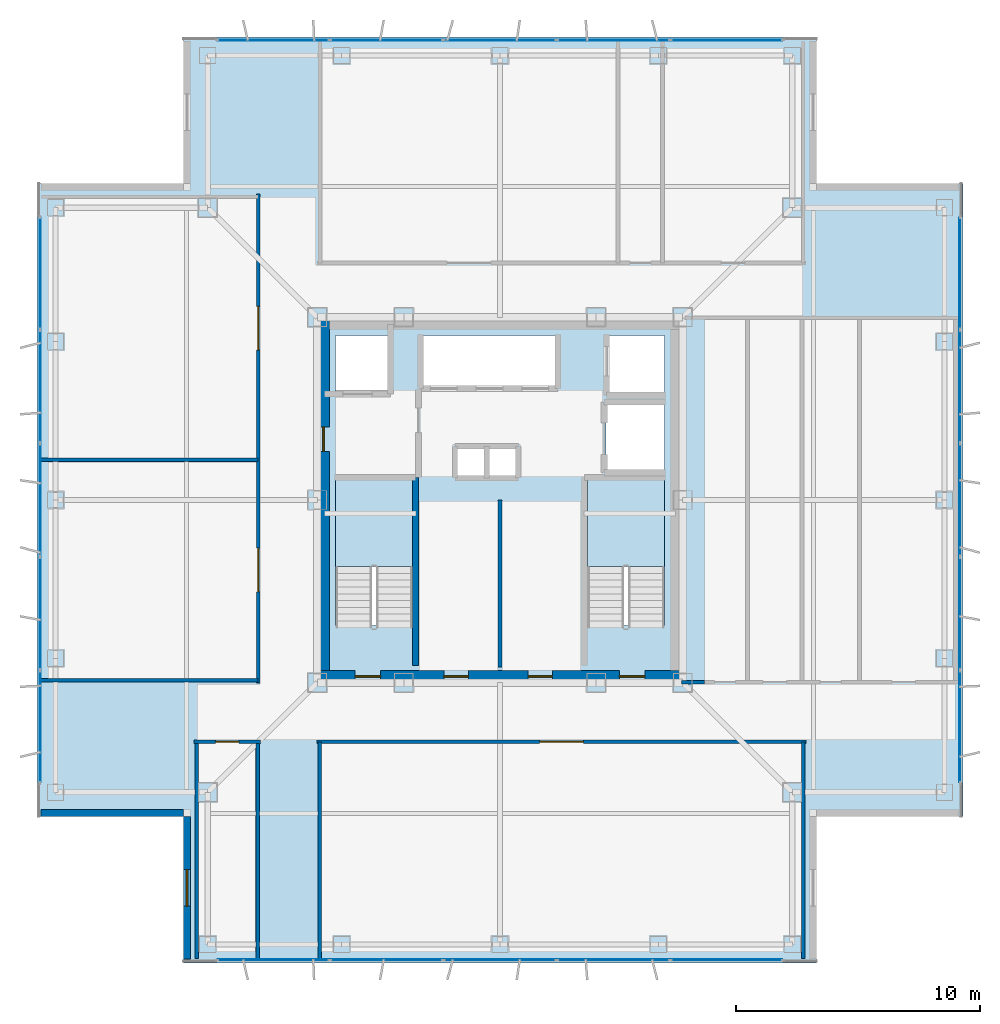
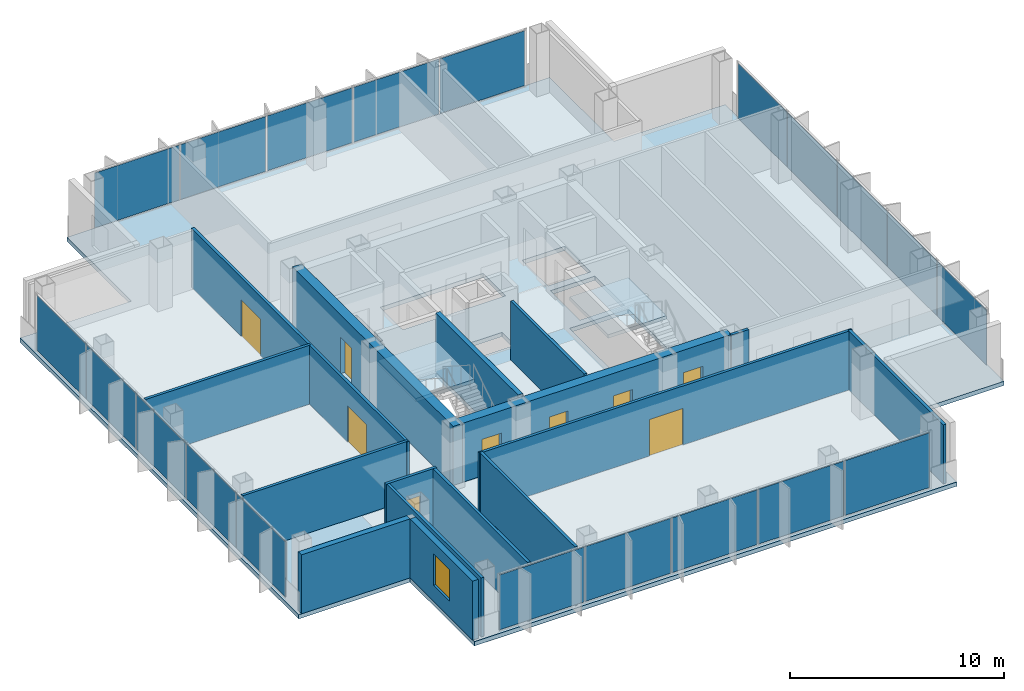
# One storey, part 7 of 15: 20 plates, 16 walls, 9 doors, 3 slabs, 1 window, 10 openings, 6 elements without a shape of their own.
"""IFC4 building model written with IfcOpenShell, lengths in metres."""

import ifcopenshell
import ifcopenshell.guid

model = None  # the IFC model being written
_history = None  # IfcOwnerHistory: only IFC2X3 demands one
_inside = {}  # id of a spatial element -> (the spatial element, [elements in it])
_under = {}  # id of a project, library or spatial element -> (it, [spatial elements below it])
_declared = {}  # id of a project -> (the project, [libraries it declares])
_typed = {}  # id of a type object -> (the type object, [elements of that type])
_made_of = {}  # id of a material, layer set ... -> (it, [elements and type objects made of it])


def new_model(schema):
    """Start an empty IFC model of exactly this schema.

    Asked for "IFC4X3", IfcOpenShell would pick the latest addendum, in which some entities
    have other attributes; the version numbers below select the first issue.
    IFC2X3 requires an IfcOwnerHistory on every rooted entity: one is made here for all.
    """
    global model, _history
    if schema == "IFC4X3":
        model = ifcopenshell.file(schema_version=(4, 3, 0, 0))
    else:
        model = ifcopenshell.file(schema=schema)
    _inside.clear()
    _under.clear()
    _declared.clear()
    _typed.clear()
    _made_of.clear()
    _history = None
    if model.schema == "IFC2X3":
        org = make("IfcOrganization", Name="unknown")
        user = make(
            "IfcPersonAndOrganization",
            ThePerson=make("IfcPerson", FamilyName="unknown"),
            TheOrganization=org,
        )
        app = make(
            "IfcApplication",
            ApplicationDeveloper=org,
            Version="unknown",
            ApplicationFullName="unknown",
            ApplicationIdentifier="unknown",
        )
        _history = make(
            "IfcOwnerHistory",
            OwningUser=user,
            OwningApplication=app,
            ChangeAction="ADDED",
            CreationDate=0,
        )
    return model


def make(cls, **values):
    """One entity of the class cls with the attributes given. An attribute that is None is left unset."""
    return model.create_entity(
        cls, **{name: value for name, value in values.items() if value is not None}
    )


def rooted(cls, **values):
    """An entity with a GlobalId (a new one), such as an element, a storey or a relation."""
    return make(cls, GlobalId=ifcopenshell.guid.new(), OwnerHistory=_history, **values)


def si_unit(unit_type, name, prefix=None):
    """IfcSIUnit, for example si_unit("LENGTHUNIT", "METRE", prefix="MILLI")."""
    return make("IfcSIUnit", UnitType=unit_type, Prefix=prefix, Name=name)


def assignment(units):
    """IfcUnitAssignment: the units of a project."""
    return None if units is None else make("IfcUnitAssignment", Units=units)


def point(xyz):
    """IfcCartesianPoint."""
    return None if xyz is None else make("IfcCartesianPoint", Coordinates=xyz)


def direction(xyz):
    """IfcDirection."""
    return None if xyz is None else make("IfcDirection", DirectionRatios=xyz)


def frame(location, z_axis=None, x_axis=None):
    """IfcAxis2Placement3D, a coordinate frame: its origin and axes. An axis left out is left unset."""
    return make(
        "IfcAxis2Placement3D",
        Location=point(location),
        Axis=direction(z_axis),
        RefDirection=direction(x_axis),
    )


def frame_2d(location, x_axis=None):
    """IfcAxis2Placement2D, a coordinate frame in the plane: its origin and x axis."""
    return make(
        "IfcAxis2Placement2D", Location=point(location), RefDirection=direction(x_axis)
    )


def origin():
    """The frame at (0, 0, 0) with its axes left unset."""
    return frame((0.0, 0.0, 0.0))


def origin_2d():
    """The frame at (0, 0) in the plane with its x axis left unset."""
    return frame_2d((0.0, 0.0))


def place(relative_to, where):
    """IfcLocalPlacement: puts the frame where relative to a parent placement (None: the world)."""
    return make(
        "IfcLocalPlacement", PlacementRelTo=relative_to, RelativePlacement=where
    )


def context(
    kind, dimensions, precision=None, world=None, true_north=None, identifier=None
):
    """IfcGeometricRepresentationContext, for example the 3D "Model" context."""
    return make(
        "IfcGeometricRepresentationContext",
        ContextIdentifier=identifier,
        ContextType=kind,
        CoordinateSpaceDimension=dimensions,
        Precision=precision,
        WorldCoordinateSystem=world,
        TrueNorth=true_north,
    )


def subcontext(parent, identifier, kind, view, scale=None):
    """IfcGeometricRepresentationSubContext, for example "Body" below "Model"."""
    return make(
        "IfcGeometricRepresentationSubContext",
        ContextIdentifier=identifier,
        ContextType=kind,
        ParentContext=parent,
        TargetScale=scale,
        TargetView=view,
    )


def project(units=None, contexts=None):
    """IfcProject with its units and contexts."""
    return rooted(
        "IfcProject",
        Name="project",
        RepresentationContexts=contexts,
        UnitsInContext=assignment(units),
    )


def spatial(cls, under=None, at=None, **own):
    """A site, building, storey or space (cls), placed at a placement, below another one or the project."""
    s = rooted(cls, ObjectPlacement=at, **own)
    if under is not None:
        _under.setdefault(under.id(), (under, []))[1].append(s)
    return s


def polyline(points):
    """IfcPolyline through the points."""
    return make("IfcPolyline", Points=[point(p) for p in points])


def profile(cls, at=None, kind="AREA", **sizes):
    """A parametric profile (cls). Its sizes go by their IFC names, for example OverallWidth=200.0."""
    return make(cls, ProfileType=kind, Position=at, **sizes)


def rectangle(**sizes):
    """IfcRectangleProfileDef."""
    return profile("IfcRectangleProfileDef", **sizes)


def outline(outer, holes=None, kind="AREA"):
    """IfcArbitraryClosedProfileDef: a profile drawn as a closed curve; with holes, ...WithVoids."""
    if holes is None:
        return make("IfcArbitraryClosedProfileDef", ProfileType=kind, OuterCurve=outer)
    return make(
        "IfcArbitraryProfileDefWithVoids",
        ProfileType=kind,
        OuterCurve=outer,
        InnerCurves=holes,
    )


def extrude(swept, where, along, depth):
    """IfcExtrudedAreaSolid: the profile swept, set in the frame where, extruded along a direction by depth."""
    return make(
        "IfcExtrudedAreaSolid",
        SweptArea=swept,
        Position=where,
        ExtrudedDirection=direction(along),
        Depth=depth,
    )


def shape(context_of_items, identifier, shape_type, items):
    """IfcShapeRepresentation: the items that make up one representation, for example the "Body"."""
    return make(
        "IfcShapeRepresentation",
        ContextOfItems=context_of_items,
        RepresentationIdentifier=identifier,
        RepresentationType=shape_type,
        Items=items,
    )


def material(Name=None, Category=None):
    """IfcMaterial."""
    return make("IfcMaterial", Name=Name, Category=Category)


def layer(
    of_material, thickness, ventilated=None, Name=None, Category=None, Priority=None
):
    """IfcMaterialLayer: one layer of a wall or slab, of a material (None: an air gap)."""
    return make(
        "IfcMaterialLayer",
        Material=of_material,
        LayerThickness=thickness,
        IsVentilated=ventilated,
        Name=Name,
        Category=Category,
        Priority=Priority,
    )


def layer_set(layers, Name=None):
    """IfcMaterialLayerSet."""
    return make("IfcMaterialLayerSet", MaterialLayers=layers, LayerSetName=Name)


def made_of(thing, what):
    """Note that an element or type object is made of a material, layer set ...; save() writes the relation."""
    if what is not None:
        _made_of.setdefault(what.id(), (what, []))[1].append(thing)
    return thing


def type_object(cls, material=None, **own):
    """A type object (cls), such as IfcWallType, which elements share."""
    return made_of(rooted(cls, **own), material)


def element(
    cls,
    number,
    at=None,
    inside=None,
    cuts=None,
    type_object=None,
    material=None,
    context=None,
    identifier="Body",
    shape_type=None,
    held_by="IfcProductDefinitionShape",
    body=None,
    shapes=None,
    **own,
):
    """One element of the class cls, such as IfcWall. Its Tag is "e" and its number.

    at: its placement. inside: the storey or other place that contains it. cuts: it is an
    opening in that element (IfcRelVoidsElement). A single representation is given by context,
    identifier, shape_type and body (its items); several are given by shapes. held_by: the class
    of the entity that holds the representations. save() writes the other relations.
    """
    e = rooted(cls, Tag="e%d" % number, ObjectPlacement=at, **own)
    if body is not None:
        shapes = [shape(context, identifier, shape_type, body)]
    if shapes is not None:
        e.Representation = make(held_by, Representations=shapes)
    if inside is not None:
        _inside.setdefault(inside.id(), (inside, []))[1].append(e)
    if cuts is not None:
        rooted(
            "IfcRelVoidsElement", RelatingBuildingElement=cuts, RelatedOpeningElement=e
        )
    if type_object is not None:
        _typed.setdefault(type_object.id(), (type_object, []))[1].append(e)
    return made_of(e, material)


def fill(opening, filler):
    """IfcRelFillsElement: the door or window that sits in an opening."""
    return rooted(
        "IfcRelFillsElement",
        RelatingOpeningElement=opening,
        RelatedBuildingElement=filler,
    )


def aggregate(whole, parts):
    """IfcRelAggregates: a whole, such as a stair, and the parts it consists of."""
    return rooted("IfcRelAggregates", RelatingObject=whole, RelatedObjects=parts)


def save(model, path):
    """Write the relations noted so far, then the file.

    IfcRelAggregates (storeys below a building ...), IfcRelContainedInSpatialStructure (elements
    in a storey), IfcRelDefinesByType, IfcRelAssociatesMaterial and IfcRelDeclares: one each for
    every whole, place, type object, material and project.
    """
    for whole, parts in _under.values():
        aggregate(whole, parts)
    for where, things in _inside.values():
        rooted(
            "IfcRelContainedInSpatialStructure",
            RelatedElements=things,
            RelatingStructure=where,
        )
    for kind, things in _typed.values():
        rooted("IfcRelDefinesByType", RelatedObjects=things, RelatingType=kind)
    for what, things in _made_of.values():
        rooted("IfcRelAssociatesMaterial", RelatedObjects=things, RelatingMaterial=what)
    for by, libraries in _declared.values():
        rooted("IfcRelDeclares", RelatingContext=by, RelatedDefinitions=libraries)
    model.write(path)


model = new_model("IFC4")

# Units and contexts
model_context = context("Model", 3, precision=1e-05, world=origin(), true_north=direction((0.0, 1.0)))
body_context = subcontext(model_context, "Body", "Model", "MODEL_VIEW")
ifc_project = project(units=[si_unit("LENGTHUNIT", "METRE"), si_unit("AREAUNIT", "SQUARE_METRE"), si_unit("VOLUMEUNIT", "CUBIC_METRE"), si_unit("PLANEANGLEUNIT", "RADIAN"), si_unit("MASSUNIT", "GRAM", prefix="KILO")], contexts=[model_context])

# Site, building, storey
site_placement = place(None, origin())
site = spatial("IfcSite", under=ifc_project, at=site_placement, CompositionType="ELEMENT")
building_placement = place(site_placement, origin())
building = spatial("IfcBuilding", under=site, at=building_placement, Name="Trevonay Congress Spire", CompositionType="ELEMENT")
storey_placement = place(building_placement, frame((0.0, 0.0, 261.199951171875)))
storey = spatial("IfcBuildingStorey", under=building, at=storey_placement, Name="L68", CompositionType="ELEMENT", Elevation=261.199951171875)

# Curtain wall, plates
ifc_material_1 = material(Name="Pale Anodised Aluminium EN AW-6063-T6", Category="aluminium")
ifc_layer_1 = layer(ifc_material_1, 0.1650390625, Name="Pale Anodised Aluminium EN AW-6063-T6")
ifc_layer_set_1 = layer_set([ifc_layer_1], Name="Pale Anodised Aluminium EN AW-6063-T6")
curtain_wall_type = type_object("IfcCurtainWallType", Name="CW-SYS05-DIPLOM-PALE-METAL", PredefinedType="NOTDEFINED", material=ifc_layer_set_1)
curtain_wall_1_placement = place(storey_placement, origin())
curtain_wall_1 = element("IfcCurtainWall", 1, at=curtain_wall_1_placement, inside=storey, type_object=curtain_wall_type, Name="L68 S unitised curtain wall", PredefinedType="NOTDEFINED")
ifc_material_2 = material(Name="Insulated Low-E Vision Glass IGU", Category="glass")
ifc_layer_2 = layer(ifc_material_2, 0.035888671875, Name="Insulated Low-E Vision Glass IGU")
ifc_layer_set_2 = layer_set([ifc_layer_2], Name="Insulated Low-E Vision Glass IGU")
plate_type = type_object("IfcPlateType", Name="CW-PANEL-IGU36-SILVER", PredefinedType="CURTAIN_PANEL", material=ifc_layer_set_2)
plate_1_placement = place(storey_placement, frame((-9.304931640625, -18.8798828125, 0.119873046875), z_axis=(0.0, 0.0, 1.0), x_axis=(1.0, 0.0, 0.0)))
plate_1 = element("IfcPlate", 2, at=plate_1_placement, type_object=plate_type, Name="CW05 panel 1.1", PredefinedType="CURTAIN_PANEL", context=body_context, shape_type="SweptSolid", body=[
    extrude(rectangle(XDim=4.570068359375, YDim=0.035888671875, at=origin_2d()), origin(), (0.0, 0.0, 1.0), 3.1201171875),
])
plate_2_placement = place(storey_placement, frame((-4.659912109375, -18.8798828125, 0.119873046875), z_axis=(0.0, 0.0, 1.0), x_axis=(1.0, 0.0, 0.0)))
plate_2 = element("IfcPlate", 3, at=plate_2_placement, type_object=plate_type, Name="CW05 panel 2.1", PredefinedType="CURTAIN_PANEL", context=body_context, shape_type="SweptSolid", body=[
    extrude(rectangle(XDim=4.60009765625, YDim=0.035888671875, at=origin_2d()), origin(), (0.0, 0.0, 1.0), 3.1201171875),
])
plate_3_placement = place(storey_placement, frame((0.0, -18.8798828125, 0.119873046875), z_axis=(0.0, 0.0, 1.0), x_axis=(1.0, 0.0, 0.0)))
plate_3 = element("IfcPlate", 4, at=plate_3_placement, type_object=plate_type, Name="CW05 panel 3.1", PredefinedType="CURTAIN_PANEL", context=body_context, shape_type="SweptSolid", body=[
    extrude(rectangle(XDim=4.60009765625, YDim=0.035888671875, at=origin_2d()), origin(), (0.0, 0.0, 1.0), 3.1201171875),
])
plate_4_placement = place(storey_placement, frame((4.659912109375, -18.8798828125, 0.119873046875), z_axis=(0.0, 0.0, 1.0), x_axis=(1.0, 0.0, 0.0)))
plate_4 = element("IfcPlate", 5, at=plate_4_placement, type_object=plate_type, Name="CW05 panel 4.1", PredefinedType="CURTAIN_PANEL", context=body_context, shape_type="SweptSolid", body=[
    extrude(rectangle(XDim=4.60009765625, YDim=0.035888671875, at=origin_2d()), origin(), (0.0, 0.0, 1.0), 3.1201171875),
])
plate_5_placement = place(storey_placement, frame((9.304931640625, -18.8798828125, 0.119873046875), z_axis=(0.0, 0.0, 1.0), x_axis=(1.0, 0.0, 0.0)))
plate_5 = element("IfcPlate", 6, at=plate_5_placement, type_object=plate_type, Name="CW05 panel 5.1", PredefinedType="CURTAIN_PANEL", context=body_context, shape_type="SweptSolid", body=[
    extrude(rectangle(XDim=4.570068359375, YDim=0.035888671875, at=origin_2d()), origin(), (0.0, 0.0, 1.0), 3.1201171875),
])
aggregate(curtain_wall_1, [plate_1, plate_2, plate_3, plate_4, plate_5])

curtain_wall_2_placement = place(storey_placement, origin())
curtain_wall_2 = element("IfcCurtainWall", 7, at=curtain_wall_2_placement, inside=storey, type_object=curtain_wall_type, Name="L68 N unitised curtain wall", PredefinedType="NOTDEFINED")
plate_6_placement = place(storey_placement, frame((-9.304931640625, 18.8798828125, 0.119873046875), z_axis=(0.0, 0.0, 1.0), x_axis=(1.0, 0.0, 0.0)))
plate_6 = element("IfcPlate", 8, at=plate_6_placement, type_object=plate_type, Name="CW05 panel 1.1", PredefinedType="CURTAIN_PANEL", context=body_context, shape_type="SweptSolid", body=[
    extrude(rectangle(XDim=4.570068359375, YDim=0.035888671875, at=origin_2d()), origin(), (0.0, 0.0, 1.0), 3.1201171875),
])
plate_7_placement = place(storey_placement, frame((-4.659912109375, 18.8798828125, 0.119873046875), z_axis=(0.0, 0.0, 1.0), x_axis=(1.0, 0.0, 0.0)))
plate_7 = element("IfcPlate", 9, at=plate_7_placement, type_object=plate_type, Name="CW05 panel 2.1", PredefinedType="CURTAIN_PANEL", context=body_context, shape_type="SweptSolid", body=[
    extrude(rectangle(XDim=4.60009765625, YDim=0.035888671875, at=origin_2d()), origin(), (0.0, 0.0, 1.0), 3.1201171875),
])
plate_8_placement = place(storey_placement, frame((0.0, 18.8798828125, 0.119873046875), z_axis=(0.0, 0.0, 1.0), x_axis=(1.0, 0.0, 0.0)))
plate_8 = element("IfcPlate", 10, at=plate_8_placement, type_object=plate_type, Name="CW05 panel 3.1", PredefinedType="CURTAIN_PANEL", context=body_context, shape_type="SweptSolid", body=[
    extrude(rectangle(XDim=4.60009765625, YDim=0.035888671875, at=origin_2d()), origin(), (0.0, 0.0, 1.0), 3.1201171875),
])
plate_9_placement = place(storey_placement, frame((4.659912109375, 18.8798828125, 0.119873046875), z_axis=(0.0, 0.0, 1.0), x_axis=(1.0, 0.0, 0.0)))
plate_9 = element("IfcPlate", 11, at=plate_9_placement, type_object=plate_type, Name="CW05 panel 4.1", PredefinedType="CURTAIN_PANEL", context=body_context, shape_type="SweptSolid", body=[
    extrude(rectangle(XDim=4.60009765625, YDim=0.035888671875, at=origin_2d()), origin(), (0.0, 0.0, 1.0), 3.1201171875),
])
plate_10_placement = place(storey_placement, frame((9.304931640625, 18.8798828125, 0.119873046875), z_axis=(0.0, 0.0, 1.0), x_axis=(1.0, 0.0, 0.0)))
plate_10 = element("IfcPlate", 12, at=plate_10_placement, type_object=plate_type, Name="CW05 panel 5.1", PredefinedType="CURTAIN_PANEL", context=body_context, shape_type="SweptSolid", body=[
    extrude(rectangle(XDim=4.570068359375, YDim=0.035888671875, at=origin_2d()), origin(), (0.0, 0.0, 1.0), 3.1201171875),
])
aggregate(curtain_wall_2, [plate_6, plate_7, plate_8, plate_9, plate_10])

curtain_wall_3_placement = place(storey_placement, origin())
curtain_wall_3 = element("IfcCurtainWall", 13, at=curtain_wall_3_placement, inside=storey, type_object=curtain_wall_type, Name="L68 W unitised curtain wall", PredefinedType="NOTDEFINED")
plate_11_placement = place(storey_placement, frame((-18.8798828125, -9.304931640625, 0.119873046875), z_axis=(0.0, 0.0, 1.0), x_axis=(0.0, 1.0, 0.0)))
plate_11 = element("IfcPlate", 14, at=plate_11_placement, type_object=plate_type, Name="CW05 panel 1.1", PredefinedType="CURTAIN_PANEL", context=body_context, shape_type="SweptSolid", body=[
    extrude(rectangle(XDim=4.570068359375, YDim=0.035888671875, at=origin_2d()), origin(), (0.0, 0.0, 1.0), 3.1201171875),
])
plate_12_placement = place(storey_placement, frame((-18.8798828125, -4.659912109375, 0.119873046875), z_axis=(0.0, 0.0, 1.0), x_axis=(0.0, 1.0, 0.0)))
plate_12 = element("IfcPlate", 15, at=plate_12_placement, type_object=plate_type, Name="CW05 panel 2.1", PredefinedType="CURTAIN_PANEL", context=body_context, shape_type="SweptSolid", body=[
    extrude(rectangle(XDim=4.60009765625, YDim=0.035888671875, at=origin_2d()), origin(), (0.0, 0.0, 1.0), 3.1201171875),
])
plate_13_placement = place(storey_placement, frame((-18.8798828125, 0.0, 0.119873046875), z_axis=(0.0, 0.0, 1.0), x_axis=(0.0, 1.0, 0.0)))
plate_13 = element("IfcPlate", 16, at=plate_13_placement, type_object=plate_type, Name="CW05 panel 3.1", PredefinedType="CURTAIN_PANEL", context=body_context, shape_type="SweptSolid", body=[
    extrude(rectangle(XDim=4.60009765625, YDim=0.035888671875, at=origin_2d()), origin(), (0.0, 0.0, 1.0), 3.1201171875),
])
plate_14_placement = place(storey_placement, frame((-18.8798828125, 4.659912109375, 0.119873046875), z_axis=(0.0, 0.0, 1.0), x_axis=(0.0, 1.0, 0.0)))
plate_14 = element("IfcPlate", 17, at=plate_14_placement, type_object=plate_type, Name="CW05 panel 4.1", PredefinedType="CURTAIN_PANEL", context=body_context, shape_type="SweptSolid", body=[
    extrude(rectangle(XDim=4.60009765625, YDim=0.035888671875, at=origin_2d()), origin(), (0.0, 0.0, 1.0), 3.1201171875),
])
plate_15_placement = place(storey_placement, frame((-18.8798828125, 9.304931640625, 0.119873046875), z_axis=(0.0, 0.0, 1.0), x_axis=(0.0, 1.0, 0.0)))
plate_15 = element("IfcPlate", 18, at=plate_15_placement, type_object=plate_type, Name="CW05 panel 5.1", PredefinedType="CURTAIN_PANEL", context=body_context, shape_type="SweptSolid", body=[
    extrude(rectangle(XDim=4.570068359375, YDim=0.035888671875, at=origin_2d()), origin(), (0.0, 0.0, 1.0), 3.1201171875),
])
aggregate(curtain_wall_3, [plate_11, plate_12, plate_13, plate_14, plate_15])

curtain_wall_4_placement = place(storey_placement, origin())
curtain_wall_4 = element("IfcCurtainWall", 19, at=curtain_wall_4_placement, inside=storey, type_object=curtain_wall_type, Name="L68 E unitised curtain wall", PredefinedType="NOTDEFINED")
plate_16_placement = place(storey_placement, frame((18.8798828125, -9.304931640625, 0.119873046875), z_axis=(0.0, 0.0, 1.0), x_axis=(0.0, 1.0, 0.0)))
plate_16 = element("IfcPlate", 20, at=plate_16_placement, type_object=plate_type, Name="CW05 panel 1.1", PredefinedType="CURTAIN_PANEL", context=body_context, shape_type="SweptSolid", body=[
    extrude(rectangle(XDim=4.570068359375, YDim=0.035888671875, at=origin_2d()), origin(), (0.0, 0.0, 1.0), 3.1201171875),
])
plate_17_placement = place(storey_placement, frame((18.8798828125, -4.659912109375, 0.119873046875), z_axis=(0.0, 0.0, 1.0), x_axis=(0.0, 1.0, 0.0)))
plate_17 = element("IfcPlate", 21, at=plate_17_placement, type_object=plate_type, Name="CW05 panel 2.1", PredefinedType="CURTAIN_PANEL", context=body_context, shape_type="SweptSolid", body=[
    extrude(rectangle(XDim=4.60009765625, YDim=0.035888671875, at=origin_2d()), origin(), (0.0, 0.0, 1.0), 3.1201171875),
])
plate_18_placement = place(storey_placement, frame((18.8798828125, 0.0, 0.119873046875), z_axis=(0.0, 0.0, 1.0), x_axis=(0.0, 1.0, 0.0)))
plate_18 = element("IfcPlate", 22, at=plate_18_placement, type_object=plate_type, Name="CW05 panel 3.1", PredefinedType="CURTAIN_PANEL", context=body_context, shape_type="SweptSolid", body=[
    extrude(rectangle(XDim=4.60009765625, YDim=0.035888671875, at=origin_2d()), origin(), (0.0, 0.0, 1.0), 3.1201171875),
])
plate_19_placement = place(storey_placement, frame((18.8798828125, 4.659912109375, 0.119873046875), z_axis=(0.0, 0.0, 1.0), x_axis=(0.0, 1.0, 0.0)))
plate_19 = element("IfcPlate", 23, at=plate_19_placement, type_object=plate_type, Name="CW05 panel 4.1", PredefinedType="CURTAIN_PANEL", context=body_context, shape_type="SweptSolid", body=[
    extrude(rectangle(XDim=4.60009765625, YDim=0.035888671875, at=origin_2d()), origin(), (0.0, 0.0, 1.0), 3.1201171875),
])
plate_20_placement = place(storey_placement, frame((18.8798828125, 9.304931640625, 0.119873046875), z_axis=(0.0, 0.0, 1.0), x_axis=(0.0, 1.0, 0.0)))
plate_20 = element("IfcPlate", 24, at=plate_20_placement, type_object=plate_type, Name="CW05 panel 5.1", PredefinedType="CURTAIN_PANEL", context=body_context, shape_type="SweptSolid", body=[
    extrude(rectangle(XDim=4.570068359375, YDim=0.035888671875, at=origin_2d()), origin(), (0.0, 0.0, 1.0), 3.1201171875),
])
aggregate(curtain_wall_4, [plate_16, plate_17, plate_18, plate_19, plate_20])

# Stair, slab
ifc_material_3 = material(Name="Concrete C40/50", Category="concrete")
stair_type_1 = type_object("IfcStairType", Name="STR-ST-1", PredefinedType="HALF_TURN_STAIR", material=ifc_material_3)
stair_1_placement = place(storey_placement, origin())
stair_1 = element("IfcStair", 25, at=stair_1_placement, inside=storey, type_object=stair_type_1, Name="L68 Protected Exit Stair ST-1", PredefinedType="HALF_TURN_STAIR")
ifc_layer_3 = layer(ifc_material_3, 0.199951171875, Name="Concrete C40/50")
ifc_layer_set_3 = layer_set([ifc_layer_3], Name="Concrete C40/50")
slab_type_1 = type_object("IfcSlabType", Name="SLB-STAIR-LAND-200", PredefinedType="LANDING", material=ifc_layer_set_3)
slab_1_placement = place(storey_placement, frame((0.0, 0.0, 1.60009765625)))
slab_1 = element("IfcSlab", 26, at=slab_1_placement, type_object=slab_type_1, Name="ST-1 landing 1", PredefinedType="LANDING", context=body_context, shape_type="SweptSolid", body=[
    extrude(outline(polyline([(-3.60009765625, -2.72998046875), (-3.60009765625, 0.85009765625), (-6.75, 0.85009765625), (-6.75, -2.72998046875), (-3.60009765625, -2.72998046875)])), origin(), (0.0, 0.0, 1.0), 0.199951171875),
])
aggregate(stair_1, [slab_1])

stair_type_2 = type_object("IfcStairType", Name="STR-ST-2", PredefinedType="HALF_TURN_STAIR", material=ifc_material_3)
stair_2_placement = place(storey_placement, origin())
stair_2 = element("IfcStair", 27, at=stair_2_placement, inside=storey, type_object=stair_type_2, Name="L68 Protected Exit Stair ST-2", PredefinedType="HALF_TURN_STAIR")
slab_2_placement = place(storey_placement, frame((0.0, 0.0, 1.60009765625)))
slab_2 = element("IfcSlab", 28, at=slab_2_placement, type_object=slab_type_1, Name="ST-2 landing 1", PredefinedType="LANDING", context=body_context, shape_type="SweptSolid", body=[
    extrude(outline(polyline([(6.75, -2.72998046875), (6.75, 0.85009765625), (3.60009765625, 0.85009765625), (3.60009765625, -2.72998046875), (6.75, -2.72998046875)])), origin(), (0.0, 0.0, 1.0), 0.199951171875),
])
aggregate(stair_2, [slab_2])

# Slab
ifc_layer_4 = layer(ifc_material_3, 0.239990234375, Name="Concrete C40/50")
ifc_layer_set_4 = layer_set([ifc_layer_4], Name="Concrete C40/50")
slab_type_2 = type_object("IfcSlabType", Name="SLB-TOW2-240", PredefinedType="FLOOR", material=ifc_layer_set_4)
slab_3_placement = place(storey_placement, frame((0.0, 0.0, -0.239990234375)))
element("IfcSlab", 29, at=slab_3_placement, inside=storey, type_object=slab_type_2, Name="L68 structural floor slab", PredefinedType="FLOOR", context=body_context, shape_type="SweptSolid", body=[
    extrude(outline(polyline([(-13.0, -19.0), (13.0, -19.0), (13.0, -13.0), (19.0, -13.0), (19.0, 13.0), (13.0, 13.0), (13.0, 19.0), (-13.0, 19.0), (-13.0, 13.0), (-19.0, 13.0), (-19.0, -13.0), (-13.0, -13.0), (-13.0, -19.0)]), holes=[polyline([(-3.60009765625, -5.14990234375), (-3.60009765625, 0.85009765625), (-6.75, 0.85009765625), (-6.75, -5.14990234375), (-3.60009765625, -5.14990234375)]), polyline([(6.75, -5.14990234375), (6.75, 0.85009765625), (3.60009765625, 0.85009765625), (3.60009765625, -5.14990234375), (6.75, -5.14990234375)]), polyline([(-3.199951171875, 4.64990234375), (2.340087890625, 4.64990234375), (2.340087890625, 6.75), (-3.199951171875, 6.75), (-3.199951171875, 4.64990234375)]), polyline([(-6.75, 4.35009765625), (-4.449951171875, 4.35009765625), (-4.449951171875, 6.75), (-6.75, 6.75), (-6.75, 4.35009765625)]), polyline([(4.449951171875, 4.35009765625), (6.75, 4.35009765625), (6.75, 6.75), (4.449951171875, 6.75), (4.449951171875, 4.35009765625)]), polyline([(4.35009765625, 1.199951171875), (6.75, 1.199951171875), (6.75, 3.949951171875), (4.35009765625, 3.949951171875), (4.35009765625, 1.199951171875)]), polyline([(-1.800048828125, 0.949951171875), (0.699951171875, 0.949951171875), (0.699951171875, 2.14990234375), (-1.800048828125, 2.14990234375), (-1.800048828125, 0.949951171875)])]), origin(), (0.0, 0.0, 1.0), 0.239990234375),
])

# Wall, openings, doors
ifc_material_4 = material(Name="Concrete C50/60", Category="concrete")
ifc_layer_5 = layer(ifc_material_4, 0.5, Name="Concrete C50/60")
ifc_layer_set_5 = layer_set([ifc_layer_5], Name="Concrete C50/60")
wall_type_1 = type_object("IfcWallType", Name="WAL-CORE-500", PredefinedType="SHEAR", material=ifc_layer_set_5)
wall_1_placement = place(storey_placement, frame((-7.5, -7.25, 0.0), z_axis=(0.0, 0.0, 1.0), x_axis=(1.0, 0.0, 0.0)))
wall_1 = element("IfcWall", 30, at=wall_1_placement, inside=storey, type_object=wall_type_1, Name="L68 South structural core shear wall", PredefinedType="SHEAR", context=body_context, shape_type="SweptSolid", body=[
    extrude(rectangle(XDim=15.0, YDim=0.5, at=frame_2d((7.5, 0.0))), origin(), (0.0, 0.0, 1.0), 3.360107421875),
])
opening_1_placement = place(wall_1_placement, frame((1.550048828125, 0.0, 0.0)))
opening_1 = element("IfcOpeningElement", 31, at=opening_1_placement, cuts=wall_1, Name="Opening D05", PredefinedType="OPENING", context=body_context, shape_type="SweptSolid", body=[
    extrude(rectangle(XDim=1.050048828125, YDim=2.080078125, at=frame_2d((0.52490234375, 1.0400390625))), frame((0.0, 0.260009765625, 0.0), z_axis=(0.0, -1.0, 0.0), x_axis=(1.0, 0.0, 0.0)), (0.0, 0.0, 1.0), 0.52001953125),
])
opening_2_placement = place(wall_1_placement, frame((12.39990234375, 0.0, 0.0)))
opening_2 = element("IfcOpeningElement", 32, at=opening_2_placement, cuts=wall_1, Name="Opening D05", PredefinedType="OPENING", context=body_context, shape_type="SweptSolid", body=[
    extrude(rectangle(XDim=1.050048828125, YDim=2.080078125, at=frame_2d((0.52490234375, 1.0400390625))), frame((0.0, 0.260009765625, 0.0), z_axis=(0.0, -1.0, 0.0), x_axis=(1.0, 0.0, 0.0)), (0.0, 0.0, 1.0), 0.52001953125),
])
opening_3_placement = place(wall_1_placement, frame((5.199951171875, 0.0, 0.0)))
opening_3 = element("IfcOpeningElement", 33, at=opening_3_placement, cuts=wall_1, Name="Opening D06", PredefinedType="OPENING", context=body_context, shape_type="SweptSolid", body=[
    extrude(rectangle(XDim=1.0, YDim=2.080078125, at=frame_2d((0.5, 1.0400390625))), frame((0.0, 0.260009765625, 0.0), z_axis=(0.0, -1.0, 0.0), x_axis=(1.0, 0.0, 0.0)), (0.0, 0.0, 1.0), 0.52001953125),
])
opening_4_placement = place(wall_1_placement, frame((8.64990234375, 0.0, 0.0)))
opening_4 = element("IfcOpeningElement", 34, at=opening_4_placement, cuts=wall_1, Name="Opening D06", PredefinedType="OPENING", context=body_context, shape_type="SweptSolid", body=[
    extrude(rectangle(XDim=1.0, YDim=2.080078125, at=frame_2d((0.5, 1.0400390625))), frame((0.0, 0.260009765625, 0.0), z_axis=(0.0, -1.0, 0.0), x_axis=(1.0, 0.0, 0.0)), (0.0, 0.0, 1.0), 0.52001953125),
])
ifc_material_5 = material(Name="Steel ASTM A572 Grade 50", Category="steel")
door_type_1 = type_object("IfcDoorType", Name="DOR-FIRE-100", OperationType="NOTDEFINED", PredefinedType="DOOR", material=ifc_material_5)
door_1_placement = place(opening_3_placement, origin())
door_1 = element("IfcDoor", 35, at=door_1_placement, inside=storey, type_object=door_type_1, Name="L68 South Core Room 1 Door", OperationType="SINGLE_SWING_RIGHT", OverallHeight=2.080078125, OverallWidth=1.0, PredefinedType="DOOR", context=body_context, shape_type="SweptSolid", body=[
    extrude(rectangle(XDim=1.0, YDim=2.080078125, at=frame_2d((0.5, 1.0400390625))), frame((0.0, 0.02490234375, 0.0), z_axis=(0.0, -1.0, 0.0), x_axis=(1.0, 0.0, 0.0)), (0.0, 0.0, 1.0), 0.050048828125),
])
fill(opening_3, door_1)
door_2_placement = place(opening_4_placement, origin())
door_2 = element("IfcDoor", 36, at=door_2_placement, inside=storey, type_object=door_type_1, Name="L68 South Core Room 2 Door", OperationType="SINGLE_SWING_LEFT", OverallHeight=2.080078125, OverallWidth=1.0, PredefinedType="DOOR", context=body_context, shape_type="SweptSolid", body=[
    extrude(rectangle(XDim=1.0, YDim=2.080078125, at=frame_2d((0.5, 1.0400390625))), frame((0.0, 0.02490234375, 0.0), z_axis=(0.0, -1.0, 0.0), x_axis=(1.0, 0.0, 0.0)), (0.0, 0.0, 1.0), 0.050048828125),
])
fill(opening_4, door_2)
door_type_2 = type_object("IfcDoorType", Name="DOR-STAIR-110", OperationType="NOTDEFINED", PredefinedType="DOOR", material=ifc_material_5)
door_3_placement = place(opening_1_placement, origin())
door_3 = element("IfcDoor", 37, at=door_3_placement, inside=storey, type_object=door_type_2, Name="L68 Protected Stair ST-1 Door", OperationType="SINGLE_SWING_LEFT", OverallHeight=2.080078125, OverallWidth=1.050048828125, PredefinedType="DOOR", context=body_context, shape_type="SweptSolid", body=[
    extrude(rectangle(XDim=1.050048828125, YDim=2.080078125, at=frame_2d((0.52490234375, 1.0400390625))), frame((0.0, 0.02490234375, 0.0), z_axis=(0.0, -1.0, 0.0), x_axis=(1.0, 0.0, 0.0)), (0.0, 0.0, 1.0), 0.050048828125),
])
fill(opening_1, door_3)
door_4_placement = place(opening_2_placement, origin())
door_4 = element("IfcDoor", 38, at=door_4_placement, inside=storey, type_object=door_type_2, Name="L68 Protected Stair ST-2 Door", OperationType="SINGLE_SWING_RIGHT", OverallHeight=2.080078125, OverallWidth=1.050048828125, PredefinedType="DOOR", context=body_context, shape_type="SweptSolid", body=[
    extrude(rectangle(XDim=1.050048828125, YDim=2.080078125, at=frame_2d((0.52490234375, 1.0400390625))), frame((0.0, 0.02490234375, 0.0), z_axis=(0.0, -1.0, 0.0), x_axis=(1.0, 0.0, 0.0)), (0.0, 0.0, 1.0), 0.050048828125),
])
fill(opening_2, door_4)

# Wall, opening, door
wall_2_placement = place(storey_placement, frame((-7.25, -7.5, 0.0), z_axis=(0.0, 0.0, 1.0), x_axis=(0.0, 1.0, 0.0)))
wall_2 = element("IfcWall", 39, at=wall_2_placement, inside=storey, type_object=wall_type_1, Name="L68 West structural core shear wall", PredefinedType="SHEAR", context=body_context, shape_type="SweptSolid", body=[
    extrude(rectangle(XDim=15.0, YDim=0.5, at=frame_2d((7.5, 0.0))), origin(), (0.0, 0.0, 1.0), 3.360107421875),
])
opening_5_placement = place(wall_2_placement, frame((9.5, 0.0, 0.0)))
opening_5 = element("IfcOpeningElement", 40, at=opening_5_placement, cuts=wall_2, Name="Opening D06", PredefinedType="OPENING", context=body_context, shape_type="SweptSolid", body=[
    extrude(rectangle(XDim=1.0, YDim=2.080078125, at=frame_2d((0.5, 1.0400390625))), frame((0.0, 0.260009765625, 0.0), z_axis=(0.0, -1.0, 0.0), x_axis=(1.0, 0.0, 0.0)), (0.0, 0.0, 1.0), 0.52001953125),
])
door_5_placement = place(opening_5_placement, origin())
door_5 = element("IfcDoor", 41, at=door_5_placement, inside=storey, type_object=door_type_1, Name="L68 Firefighting Lift Lobby West Corridor Door", OperationType="SINGLE_SWING_LEFT", OverallHeight=2.080078125, OverallWidth=1.0, PredefinedType="DOOR", context=body_context, shape_type="SweptSolid", body=[
    extrude(rectangle(XDim=1.0, YDim=2.080078125, at=frame_2d((0.5, 1.0400390625))), frame((0.0, 0.02490234375, 0.0), z_axis=(0.0, -1.0, 0.0), x_axis=(1.0, 0.0, 0.0)), (0.0, 0.0, 1.0), 0.050048828125),
])
fill(opening_5, door_5)

ifc_layer_6 = layer(ifc_material_3, 0.14990234375, Name="Concrete C40/50")
ifc_layer_set_6 = layer_set([ifc_layer_6], Name="Concrete C40/50")
wall_type_2 = type_object("IfcWallType", Name="WAL-CORR-150", PredefinedType="PARTITIONING", material=ifc_layer_set_6)
wall_3_placement = place(storey_placement, frame((-12.570068359375, -9.929931640625, 0.0), z_axis=(0.0, 0.0, 1.0), x_axis=(1.0, 0.0, 0.0)))
wall_3 = element("IfcWall", 42, at=wall_3_placement, inside=storey, type_object=wall_type_2, Name="L68 interior wall WP-L68SW-COR", PredefinedType="PARTITIONING", context=body_context, shape_type="SweptSolid", body=[
    extrude(rectangle(XDim=2.739990234375, YDim=0.14990234375, at=frame_2d((1.3701171875, 0.0))), origin(), (0.0, 0.0, 1.0), 3.360107421875),
])
opening_6_placement = place(wall_3_placement, frame((0.89501953125, 0.0, 0.0)))
opening_6 = element("IfcOpeningElement", 43, at=opening_6_placement, cuts=wall_3, Name="Opening D07", PredefinedType="OPENING", context=body_context, shape_type="SweptSolid", body=[
    extrude(rectangle(XDim=0.949951171875, YDim=2.06005859375, at=frame_2d((0.47509765625, 1.030029296875))), frame((0.0, 0.0849609375, 0.0), z_axis=(0.0, -1.0, 0.0), x_axis=(1.0, 0.0, 0.0)), (0.0, 0.0, 1.0), 0.169921875),
])
door_type_3 = type_object("IfcDoorType", Name="DOR-OFFICE-95", OperationType="NOTDEFINED", PredefinedType="DOOR", material=ifc_material_1)
door_6_placement = place(opening_6_placement, origin())
door_6 = element("IfcDoor", 44, at=door_6_placement, inside=storey, type_object=door_type_3, Name="L68 Chef Tasting Private Dining Room Door", OperationType="SINGLE_SWING_LEFT", OverallHeight=2.06005859375, OverallWidth=0.949951171875, PredefinedType="DOOR", context=body_context, shape_type="SweptSolid", body=[
    extrude(rectangle(XDim=0.949951171875, YDim=2.06005859375, at=frame_2d((0.47509765625, 1.030029296875))), frame((0.0, 0.02490234375, 0.0), z_axis=(0.0, -1.0, 0.0), x_axis=(1.0, 0.0, 0.0)), (0.0, 0.0, 1.0), 0.050048828125),
])
fill(opening_6, door_6)

wall_4_placement = place(storey_placement, frame((-7.52001953125, -9.929931640625, 0.0), z_axis=(0.0, 0.0, 1.0), x_axis=(1.0, 0.0, 0.0)))
wall_4 = element("IfcWall", 45, at=wall_4_placement, inside=storey, type_object=wall_type_2, Name="L68 interior wall WP-L68SE-COR", PredefinedType="PARTITIONING", context=body_context, shape_type="SweptSolid", body=[
    extrude(rectangle(XDim=20.090087890625, YDim=0.14990234375, at=frame_2d((10.044921875, 0.0))), origin(), (0.0, 0.0, 1.0), 3.360107421875),
])
opening_7_placement = place(wall_4_placement, frame((9.14501953125, 0.0, 0.0)))
opening_7 = element("IfcOpeningElement", 46, at=opening_7_placement, cuts=wall_4, Name="Opening D09", PredefinedType="OPENING", context=body_context, shape_type="SweptSolid", body=[
    extrude(rectangle(XDim=1.800048828125, YDim=2.080078125, at=frame_2d((0.89990234375, 1.0400390625))), frame((0.0, 0.0849609375, 0.0), z_axis=(0.0, -1.0, 0.0), x_axis=(1.0, 0.0, 0.0)), (0.0, 0.0, 1.0), 0.169921875),
])
door_type_4 = type_object("IfcDoorType", Name="DOR-CONF-DBL", OperationType="DOUBLE_DOOR_SINGLE_SWING", PredefinedType="DOOR", material=ifc_material_1)
door_7_placement = place(opening_7_placement, origin())
door_7 = element("IfcDoor", 47, at=door_7_placement, inside=storey, type_object=door_type_4, Name="L68 State Panoramic Fine-Dining Restaurant Door", OperationType="DOUBLE_DOOR_SINGLE_SWING", OverallHeight=2.080078125, OverallWidth=1.800048828125, PredefinedType="DOOR", context=body_context, shape_type="SweptSolid", body=[
    extrude(rectangle(XDim=1.800048828125, YDim=2.080078125, at=frame_2d((0.89990234375, 1.0400390625))), frame((0.0, 0.02490234375, 0.0), z_axis=(0.0, -1.0, 0.0), x_axis=(1.0, 0.0, 0.0)), (0.0, 0.0, 1.0), 0.050048828125),
])
fill(opening_7, door_7)

# Wall, openings, doors
wall_5_placement = place(storey_placement, frame((-9.929931640625, -7.52001953125, 0.0), z_axis=(0.0, 0.0, 1.0), x_axis=(0.0, 1.0, 0.0)))
wall_5 = element("IfcWall", 48, at=wall_5_placement, inside=storey, type_object=wall_type_2, Name="L68 interior wall WP-L68NW-COR", PredefinedType="PARTITIONING", context=body_context, shape_type="SweptSolid", body=[
    extrude(rectangle(XDim=20.090087890625, YDim=0.14990234375, at=frame_2d((10.044921875, 0.0))), origin(), (0.0, 0.0, 1.0), 3.360107421875),
])
opening_8_placement = place(wall_5_placement, frame((3.7451171875, 0.0, 0.0)))
opening_8 = element("IfcOpeningElement", 49, at=opening_8_placement, cuts=wall_5, Name="Opening D09", PredefinedType="OPENING", context=body_context, shape_type="SweptSolid", body=[
    extrude(rectangle(XDim=1.800048828125, YDim=2.080078125, at=frame_2d((0.89990234375, 1.0400390625))), frame((0.0, 0.0849609375, 0.0), z_axis=(0.0, -1.0, 0.0), x_axis=(1.0, 0.0, 0.0)), (0.0, 0.0, 1.0), 0.169921875),
])
opening_9_placement = place(wall_5_placement, frame((13.669921875, 0.0, 0.0)))
opening_9 = element("IfcOpeningElement", 50, at=opening_9_placement, cuts=wall_5, Name="Opening D09", PredefinedType="OPENING", context=body_context, shape_type="SweptSolid", body=[
    extrude(rectangle(XDim=1.800048828125, YDim=2.080078125, at=frame_2d((0.89990234375, 1.0400390625))), frame((0.0, 0.0849609375, 0.0), z_axis=(0.0, -1.0, 0.0), x_axis=(1.0, 0.0, 0.0)), (0.0, 0.0, 1.0), 0.169921875),
])
door_8_placement = place(opening_8_placement, origin())
door_8 = element("IfcDoor", 51, at=door_8_placement, inside=storey, type_object=door_type_4, Name="L68 State Culinary Hot Kitchen Door", OperationType="DOUBLE_DOOR_SINGLE_SWING", OverallHeight=2.080078125, OverallWidth=1.800048828125, PredefinedType="DOOR", context=body_context, shape_type="SweptSolid", body=[
    extrude(rectangle(XDim=1.800048828125, YDim=2.080078125, at=frame_2d((0.89990234375, 1.0400390625))), frame((0.0, 0.02490234375, 0.0), z_axis=(0.0, -1.0, 0.0), x_axis=(1.0, 0.0, 0.0)), (0.0, 0.0, 1.0), 0.050048828125),
])
fill(opening_8, door_8)
door_9_placement = place(opening_9_placement, origin())
door_9 = element("IfcDoor", 52, at=door_9_placement, inside=storey, type_object=door_type_4, Name="L68 Cold Larder and Bakery Kitchen Door", OperationType="DOUBLE_DOOR_SINGLE_SWING", OverallHeight=2.080078125, OverallWidth=1.800048828125, PredefinedType="DOOR", context=body_context, shape_type="SweptSolid", body=[
    extrude(rectangle(XDim=1.800048828125, YDim=2.080078125, at=frame_2d((0.89990234375, 1.0400390625))), frame((0.0, 0.02490234375, 0.0), z_axis=(0.0, -1.0, 0.0), x_axis=(1.0, 0.0, 0.0)), (0.0, 0.0, 1.0), 0.050048828125),
])
fill(opening_9, door_9)

# Wall
wall_6_placement = place(storey_placement, frame((7.449951171875, -7.47998046875, 0.0), z_axis=(0.0, 0.0, 1.0), x_axis=(1.0, 0.0, 0.0)))
element("IfcWall", 53, at=wall_6_placement, inside=storey, type_object=wall_type_2, Name="L68 interior wall WP-L68E-STUB", PredefinedType="PARTITIONING", context=body_context, shape_type="SweptSolid", body=[
    extrude(rectangle(XDim=0.949951171875, YDim=0.14990234375, at=frame_2d((0.47509765625, 0.0))), origin(), (0.0, 0.0, 1.0), 3.360107421875),
])

# Wall, opening, window
ifc_material_6 = material(Name="Precast concrete C40/50", Category="concrete")
ifc_layer_7 = layer(ifc_material_6, 0.300048828125, Name="Precast concrete C40/50")
ifc_layer_set_7 = layer_set([ifc_layer_7], Name="Precast concrete C40/50")
wall_type_3 = type_object("IfcWallType", Name="WAL-EXT-PRECAST-300", PredefinedType="SOLIDWALL", material=ifc_layer_set_7)
wall_7_placement = place(storey_placement, frame((-12.85009765625, -18.85009765625, 0.0), z_axis=(0.0, 0.0, 1.0), x_axis=(0.0, 1.0, 0.0)))
wall_7 = element("IfcWall", 54, at=wall_7_placement, inside=storey, type_object=wall_type_3, Name="L68 SW re-entrant notch exterior wall 1", PredefinedType="SOLIDWALL", context=body_context, shape_type="SweptSolid", body=[
    extrude(rectangle(XDim=5.85009765625, YDim=0.300048828125, at=frame_2d((2.925048828125, 0.0))), origin(), (0.0, 0.0, 1.0), 3.360107421875),
])
opening_10_placement = place(wall_7_placement, frame((2.175048828125, 0.0, 0.89990234375)))
opening_10 = element("IfcOpeningElement", 55, at=opening_10_placement, cuts=wall_7, Name="Opening WN03", PredefinedType="OPENING", context=body_context, shape_type="SweptSolid", body=[
    extrude(rectangle(XDim=1.5, YDim=1.800048828125, at=frame_2d((0.75, 0.89990234375))), frame((0.0, 0.16015625, 0.0), z_axis=(0.0, -1.0, 0.0), x_axis=(1.0, 0.0, 0.0)), (0.0, 0.0, 1.0), 0.320068359375),
])
window_type = type_object("IfcWindowType", Name="WIN-NOTCH-150X180", PartitioningType="SINGLE_PANEL", PredefinedType="WINDOW", material=ifc_material_2)
window_placement = place(opening_10_placement, origin())
window = element("IfcWindow", 56, at=window_placement, inside=storey, type_object=window_type, Name="L68 SW corner notch window", OverallHeight=1.800048828125, OverallWidth=1.5, PartitioningType="SINGLE_PANEL", PredefinedType="WINDOW", context=body_context, shape_type="SweptSolid", body=[
    extrude(rectangle(XDim=1.5, YDim=1.800048828125, at=frame_2d((0.75, 0.89990234375))), frame((0.0, 0.030029296875, 0.0), z_axis=(0.0, -1.0, 0.0), x_axis=(1.0, 0.0, 0.0)), (0.0, 0.0, 1.0), 0.06005859375),
])
fill(opening_10, window)

# Walls
wall_8_placement = place(storey_placement, frame((-18.85009765625, -12.85009765625, 0.0), z_axis=(0.0, 0.0, 1.0), x_axis=(1.0, 0.0, 0.0)))
element("IfcWall", 57, at=wall_8_placement, inside=storey, type_object=wall_type_3, Name="L68 SW re-entrant notch exterior wall 2", PredefinedType="SOLIDWALL", context=body_context, shape_type="SweptSolid", body=[
    extrude(rectangle(XDim=5.85009765625, YDim=0.300048828125, at=frame_2d((2.925048828125, 0.0))), origin(), (0.0, 0.0, 1.0), 3.360107421875),
])
ifc_layer_8 = layer(ifc_material_3, 0.14990234375, Name="Concrete C40/50")
ifc_layer_set_8 = layer_set([ifc_layer_8], Name="Concrete C40/50")
wall_type_4 = type_object("IfcWallType", Name="WAL-PART-150", PredefinedType="PARTITIONING", material=ifc_layer_set_8)
wall_9_placement = place(storey_placement, frame((0.0, -6.85009765625, 0.0), z_axis=(0.0, 0.0, 1.0), x_axis=(0.0, 1.0, 0.0)))
element("IfcWall", 58, at=wall_9_placement, inside=storey, type_object=wall_type_4, Name="L68 interior wall CW-F0-L68", PredefinedType="PARTITIONING", context=body_context, shape_type="SweptSolid", body=[
    extrude(rectangle(XDim=6.85009765625, YDim=0.14990234375, at=frame_2d((3.425048828125, 0.0))), origin(), (0.0, 0.0, 1.0), 3.360107421875),
])
for number, where, z_axis, x_axis, name in (
    (59, (-12.449951171875, -18.820068359375, 0.0), (0.0, 0.0, 1.0), (0.0, 1.0, 0.0), "L68 interior wall WP-L68SW-DIV1"),
    (60, (-9.949951171875, -18.820068359375, 0.0), (0.0, 0.0, 1.0), (0.0, 1.0, 0.0), "L68 interior wall WP-L68SW-DIV2"),
    (61, (-7.39990234375, -18.820068359375, 0.0), (0.0, 0.0, 1.0), (0.0, 1.0, 0.0), "L68 interior wall WP-L68SE-DIV1"),
    (62, (12.449951171875, -18.820068359375, 0.0), (0.0, 0.0, 1.0), (0.0, 1.0, 0.0), "L68 interior wall WP-L68SE-DIV2"),
    (63, (-18.820068359375, -7.39990234375, 0.0), (0.0, 0.0, 1.0), (1.0, 0.0, 0.0), "L68 interior wall WP-L68NW-DIV1"),
    (64, (-18.820068359375, 1.64990234375, 0.0), (0.0, 0.0, 1.0), (1.0, 0.0, 0.0), "L68 interior wall WP-L68NW-DIV2"),
):
    element("IfcWall", number, at=place(storey_placement, frame(where, z_axis=z_axis, x_axis=x_axis)), inside=storey, type_object=wall_type_4, Name=name, PredefinedType="PARTITIONING", context=body_context, shape_type="SweptSolid", body=[
        extrude(rectangle(XDim=8.89013671875, YDim=0.14990234375, at=frame_2d((4.445068359375, 0.0))), origin(), (0.0, 0.0, 1.0), 3.360107421875),
    ])
ifc_layer_9 = layer(ifc_material_3, 0.25, Name="Concrete C40/50")
ifc_layer_set_9 = layer_set([ifc_layer_9], Name="Concrete C40/50")
wall_type_5 = type_object("IfcWallType", Name="WAL-SHAFT-LB-250", PredefinedType="SHEAR", material=ifc_layer_set_9)
wall_10_placement = place(storey_placement, frame((-3.469970703125, -6.800048828125, 0.0), z_axis=(0.0, 0.0, 1.0), x_axis=(0.0, 1.0, 0.0)))
element("IfcWall", 65, at=wall_10_placement, inside=storey, type_object=wall_type_5, Name="L68 interior shaft wall WSH-L68-ST1-E", PredefinedType="SHEAR", context=body_context, shape_type="SweptSolid", body=[
    extrude(rectangle(XDim=7.719970703125, YDim=0.25, at=frame_2d((3.85986328125, 0.0))), origin(), (0.0, 0.0, 1.0), 3.360107421875),
])

save(model, "model.ifc")
